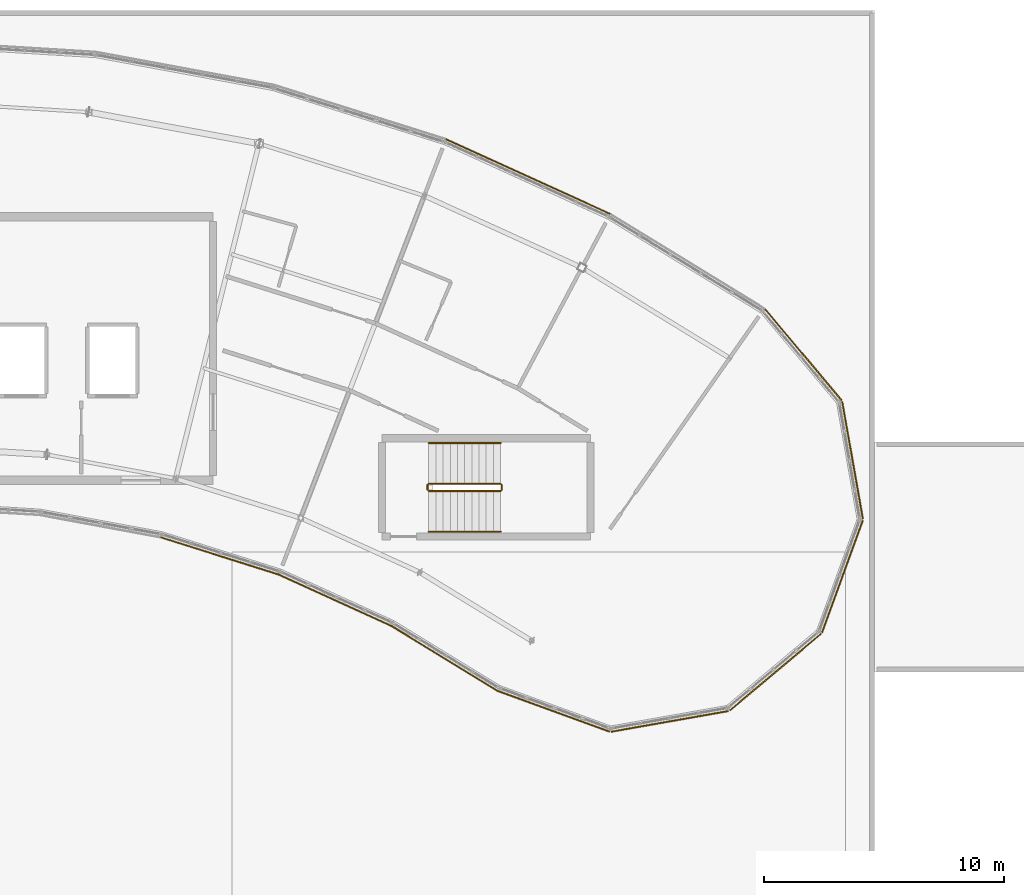
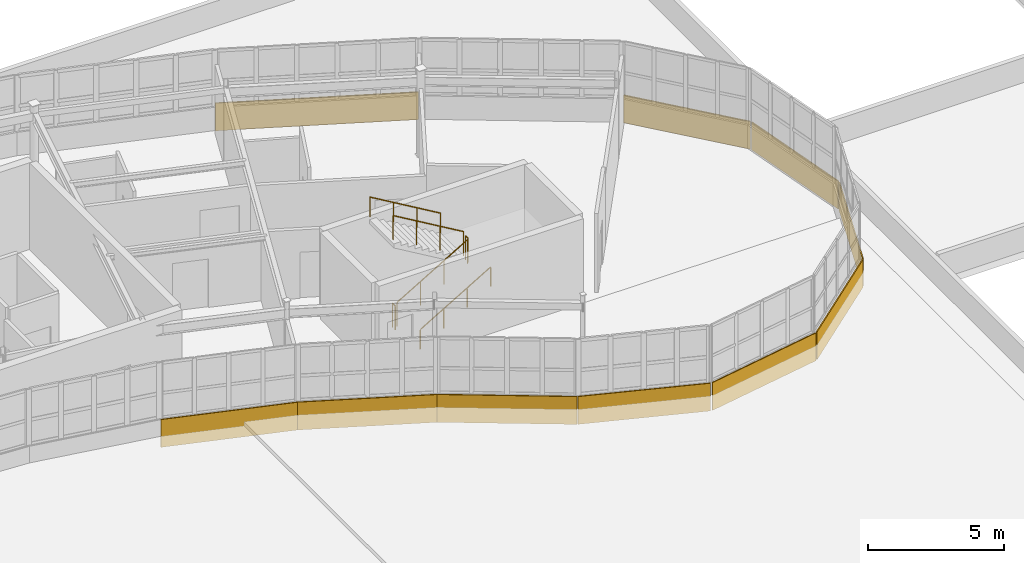
# One storey, part 122 of 128: 10 coverings, 6 railings.
"""IFC4 building model written with IfcOpenShell, lengths in metres."""

from ifc_helpers import new_model, si_unit, direction, frame, origin, origin_2d, place, context, subcontext, project, spatial, rectangle, circle, extrude, material, layer, layer_set, type_object, element, save


model = new_model("IFC4")

# Units and contexts
model_context = context("Model", 3, precision=1e-05, world=origin(), true_north=direction((0.0, 1.0)))
body_context = subcontext(model_context, "Body", "Model", "MODEL_VIEW")
ifc_project = project(units=[si_unit("LENGTHUNIT", "METRE"), si_unit("AREAUNIT", "SQUARE_METRE"), si_unit("VOLUMEUNIT", "CUBIC_METRE"), si_unit("PLANEANGLEUNIT", "RADIAN"), si_unit("MASSUNIT", "GRAM", prefix="KILO")], contexts=[model_context])

# Site, building, storey
site_placement = place(None, origin())
site = spatial("IfcSite", under=ifc_project, at=site_placement, CompositionType="ELEMENT")
building_placement = place(site_placement, origin())
building = spatial("IfcBuilding", under=site, at=building_placement, Name="Tarnwether General Hospital", CompositionType="ELEMENT")
storey_placement = place(building_placement, frame((0.0, 0.0, 14.39990234375)))
storey = spatial("IfcBuildingStorey", under=building, at=storey_placement, Name="L03", CompositionType="ELEMENT", Elevation=14.39990234375)

# Coverings
ifc_material_1 = material(Name="Streamlined white enamelled aluminium", Category="aluminium")
ifc_layer = layer(ifc_material_1, 0.044921875)
ifc_layer_set = layer_set([ifc_layer], Name="Streamlined white enamelled aluminium")
covering_type = type_object("IfcCoveringType", Name="CV-CLD-WHT", PredefinedType="CLADDING", material=ifc_layer_set)
covering_1_placement = place(storey_placement, frame((104.68603515625, 103.237060546875, -0.1748046875), z_axis=(0.0, 0.0, 1.0), x_axis=(-0.953711702297, 0.300722444959, 0.0)))
element("IfcCovering", 1, at=covering_1_placement, inside=storey, type_object=covering_type, Name="Streamlined White Horizontal Band NW L03 13", PredefinedType="CLADDING", context=body_context, shape_type="SweptSolid", body=[
    extrude(rectangle(XDim=5.177978515625, YDim=0.044921875, at=origin_2d()), origin(), (0.0, 0.0, 1.0), 1.25),
])
for number, where, z_axis, x_axis, name in (
    (2, (109.49609375, 101.389892578125, -0.1748046875), (0.0, 0.0, 1.0), (-0.909954032975, 0.414709124413, 0.0), "Streamlined White Horizontal Band NW L03 14"),
    (3, (114.0439453125, 98.971923828125, -0.1748046875), (0.0, 0.0, 1.0), (-0.852631044904, 0.522513446015, 0.0), "Streamlined White Horizontal Band NW L03 15"),
):
    element("IfcCovering", number, at=place(storey_placement, frame(where, z_axis=z_axis, x_axis=x_axis)), inside=storey, type_object=covering_type, Name=name, PredefinedType="CLADDING", context=body_context, shape_type="SweptSolid", body=[
        extrude(rectangle(XDim=5.177001953125, YDim=0.044921875, at=origin_2d()), origin(), (0.0, 0.0, 1.0), 1.25),
    ])
covering_2_placement = place(storey_placement, frame((118.60888671875, 96.758056640625, -0.1748046875), z_axis=(0.0, 0.0, 1.0), x_axis=(-0.93965082813, 0.342134945884, 0.0)))
element("IfcCovering", 4, at=covering_2_placement, inside=storey, type_object=covering_type, Name="Streamlined White Horizontal Band NW L03 16", PredefinedType="CLADDING", context=body_context, shape_type="SweptSolid", body=[
    extrude(rectangle(XDim=4.968994140625, YDim=0.044921875, at=origin_2d()), origin(), (0.0, 0.0, 1.0), 1.25),
])
for number, where, z_axis, x_axis, name in (
    (5, (123.458984375, 96.333984375, -0.1748046875), (0.0, 0.0, 1.0), (-0.98480472213, -0.173665365778, 0.0), "Streamlined White Horizontal Band NW L03 17"),
    (6, (127.87109375, 98.39111328125, -0.1748046875), (0.0, 0.0, 1.0), (-0.765988346401, -0.642854457228, 0.0), "Streamlined White Horizontal Band NW L03 18"),
):
    element("IfcCovering", number, at=place(storey_placement, frame(where, z_axis=z_axis, x_axis=x_axis)), inside=storey, type_object=covering_type, Name=name, PredefinedType="CLADDING", context=body_context, shape_type="SweptSolid", body=[
        extrude(rectangle(XDim=4.969970703125, YDim=0.044921875, at=origin_2d()), origin(), (0.0, 0.0, 1.0), 1.25),
    ])
covering_3_placement = place(storey_placement, frame((130.6640625, 102.37890625, -0.1748046875), z_axis=(0.0, 0.0, 1.0), x_axis=(-0.341954539571, -0.939716496006, 0.0)))
element("IfcCovering", 7, at=covering_3_placement, inside=storey, type_object=covering_type, Name="Streamlined White Horizontal Band NW L03 19", PredefinedType="CLADDING", context=body_context, shape_type="SweptSolid", body=[
    extrude(rectangle(XDim=4.968017578125, YDim=0.044921875, at=origin_2d()), origin(), (0.0, 0.0, 1.0), 1.25),
])
covering_4_placement = place(storey_placement, frame((131.087890625, 107.22900390625, -0.1748046875), z_axis=(0.0, 0.0, 1.0), x_axis=(0.173459104952, -0.984841072919, 0.0)))
element("IfcCovering", 8, at=covering_4_placement, inside=storey, type_object=covering_type, Name="Streamlined White Horizontal Band NW L03 20", PredefinedType="CLADDING", context=body_context, shape_type="SweptSolid", body=[
    extrude(rectangle(XDim=4.968994140625, YDim=0.044921875, at=origin_2d()), origin(), (0.0, 0.0, 1.0), 1.25),
])
covering_5_placement = place(storey_placement, frame((129.031005859375, 111.64111328125, -0.1748046875), z_axis=(0.0, 0.0, 1.0), x_axis=(0.642854457228, -0.765988346401, 0.0)))
element("IfcCovering", 9, at=covering_5_placement, inside=storey, type_object=covering_type, Name="Streamlined White Horizontal Band NW L03 21", PredefinedType="CLADDING", context=body_context, shape_type="SweptSolid", body=[
    extrude(rectangle(XDim=4.969970703125, YDim=0.044921875, at=origin_2d()), origin(), (0.0, 0.0, 1.0), 1.25),
])
covering_6_placement = place(storey_placement, frame((117.552001953125, 119.070068359375, -0.1748046875), z_axis=(0.0, 0.0, 1.0), x_axis=(0.909961270877, -0.414693242656, 0.0)))
element("IfcCovering", 10, at=covering_6_placement, inside=storey, type_object=covering_type, Name="Streamlined White Horizontal Band NW L03 23", PredefinedType="CLADDING", context=body_context, shape_type="SweptSolid", body=[
    extrude(rectangle(XDim=7.52099609375, YDim=0.044921875, at=origin_2d()), origin(), (0.0, 0.0, 1.0), 1.25),
])

# Railings
ifc_material_2 = material(Name="Anodised aluminium", Category="aluminium")
railing_type_1 = type_object("IfcRailingType", Name="RL-GRD-INT", PredefinedType="GUARDRAIL", material=ifc_material_2)
railing_1_placement = place(storey_placement, frame((113.39990234375, 105.949951171875, 0.177490234375)))
element("IfcRailing", 11, at=railing_1_placement, inside=storey, type_object=railing_type_1, Name="L03 ST-08 stair guard 1", PredefinedType="GUARDRAIL", context=body_context, shape_type="SweptSolid", body=[
    extrude(circle(Radius=0.02392578125, at=origin_2d()), frame((0.0, 0.0, 1.076171875), z_axis=(0.86092931783, 0.0, 0.508724591208), x_axis=(0.0, 1.0, 0.0)), (0.0, 0.0, 1.0), 3.484619140625),
    extrude(circle(Radius=0.02099609375, at=origin_2d()), origin(), (0.0, 0.0, 1.0), 1.052001953125),
    extrude(circle(Radius=0.02099609375, at=origin_2d()), frame((1.0, 0.0, 0.5908203125)), (0.0, 0.0, 1.0), 1.052001953125),
    extrude(circle(Radius=0.02099609375, at=origin_2d()), frame((2.0, 0.0, 1.181884765625)), (0.0, 0.0, 1.0), 1.052001953125),
    extrude(circle(Radius=0.02099609375, at=origin_2d()), frame((3.0, 0.0, 1.772705078125)), (0.0, 0.0, 1.0), 1.052001953125),
])
railing_2_placement = place(storey_placement, frame((116.449951171875, 106.0, 1.9501953125)))
element("IfcRailing", 12, at=railing_2_placement, inside=storey, type_object=railing_type_1, Name="L03 ST-08 stair guard 2", PredefinedType="GUARDRAIL", context=body_context, shape_type="SweptSolid", body=[
    extrude(circle(Radius=0.02392578125, at=origin_2d()), frame((0.0, 0.0, 1.076171875), z_axis=(0.0, 1.0, 0.0), x_axis=(-1.0, 0.0, 0.0)), (0.0, 0.0, 1.0), 0.199951171875),
    extrude(circle(Radius=0.02099609375, at=origin_2d()), origin(), (0.0, 0.0, 1.0), 1.052001953125),
    extrude(circle(Radius=0.02099609375, at=origin_2d()), frame((0.0, 0.199951171875, 0.0)), (0.0, 0.0, 1.0), 1.052001953125),
])
railing_3_placement = place(storey_placement, frame((116.39990234375, 106.25, 2.12744140625)))
element("IfcRailing", 13, at=railing_3_placement, inside=storey, type_object=railing_type_1, Name="L03 ST-08 stair guard 3", PredefinedType="GUARDRAIL", context=body_context, shape_type="SweptSolid", body=[
    extrude(circle(Radius=0.02392578125, at=origin_2d()), frame((0.0, 0.0, 1.076171875), z_axis=(-0.86092931783, 0.0, 0.508724591208), x_axis=(0.0, -1.0, 0.0)), (0.0, 0.0, 1.0), 3.484619140625),
    extrude(circle(Radius=0.02099609375, at=origin_2d()), origin(), (0.0, 0.0, 1.0), 1.052001953125),
    extrude(circle(Radius=0.02099609375, at=origin_2d()), frame((-1.0, 0.0, 0.5908203125)), (0.0, 0.0, 1.0), 1.052001953125),
    extrude(circle(Radius=0.02099609375, at=origin_2d()), frame((-2.0, 0.0, 1.181884765625)), (0.0, 0.0, 1.0), 1.052001953125),
    extrude(circle(Radius=0.02099609375, at=origin_2d()), frame((-3.0, 0.0, 1.772705078125)), (0.0, 0.0, 1.0), 1.052001953125),
])
railing_4_placement = place(storey_placement, frame((113.35009765625, 106.0, 0.0)))
element("IfcRailing", 14, at=railing_4_placement, inside=storey, type_object=railing_type_1, Name="L03 ST-08 stair guard 4", PredefinedType="GUARDRAIL", context=body_context, shape_type="SweptSolid", body=[
    extrude(circle(Radius=0.02392578125, at=origin_2d()), frame((0.0, 0.0, 1.076171875), z_axis=(0.0, 1.0, 0.0), x_axis=(-1.0, 0.0, 0.0)), (0.0, 0.0, 1.0), 0.199951171875),
    extrude(circle(Radius=0.02099609375, at=origin_2d()), origin(), (0.0, 0.0, 1.0), 1.052001953125),
    extrude(circle(Radius=0.02099609375, at=origin_2d()), frame((0.0, 0.199951171875, 0.0)), (0.0, 0.0, 1.0), 1.052001953125),
])
ifc_material_3 = material(Name="Anodised aluminium", Category="aluminium")
railing_type_2 = type_object("IfcRailingType", Name="RL-HND-INT", PredefinedType="HANDRAIL", material=ifc_material_3)
railing_5_placement = place(storey_placement, frame((113.39990234375, 104.25, 0.177490234375)))
element("IfcRailing", 15, at=railing_5_placement, inside=storey, type_object=railing_type_2, Name="L03 ST-08 stair handrail 1", PredefinedType="HANDRAIL", context=body_context, shape_type="SweptSolid", body=[
    extrude(circle(Radius=0.02392578125, at=origin_2d()), frame((0.0, 0.0, 0.8759765625), z_axis=(0.86092931783, 0.0, 0.508724591208), x_axis=(0.0, 1.0, 0.0)), (0.0, 0.0, 1.0), 3.484619140625),
    extrude(circle(Radius=0.02099609375, at=origin_2d()), origin(), (0.0, 0.0, 1.0), 0.851806640625),
    extrude(circle(Radius=0.02099609375, at=origin_2d()), frame((1.0, 0.0, 0.5908203125)), (0.0, 0.0, 1.0), 0.851806640625),
    extrude(circle(Radius=0.02099609375, at=origin_2d()), frame((2.0, 0.0, 1.181884765625)), (0.0, 0.0, 1.0), 0.851806640625),
    extrude(circle(Radius=0.02099609375, at=origin_2d()), frame((3.0, 0.0, 1.772705078125)), (0.0, 0.0, 1.0), 0.851806640625),
])
railing_6_placement = place(storey_placement, frame((116.39990234375, 107.949951171875, 2.12744140625)))
element("IfcRailing", 16, at=railing_6_placement, inside=storey, type_object=railing_type_2, Name="L03 ST-08 stair handrail 2", PredefinedType="HANDRAIL", context=body_context, shape_type="SweptSolid", body=[
    extrude(circle(Radius=0.02392578125, at=origin_2d()), frame((0.0, 0.0, 0.8759765625), z_axis=(-0.86092931783, 0.0, 0.508724591208), x_axis=(0.0, -1.0, 0.0)), (0.0, 0.0, 1.0), 3.484619140625),
    extrude(circle(Radius=0.02099609375, at=origin_2d()), origin(), (0.0, 0.0, 1.0), 0.851806640625),
    extrude(circle(Radius=0.02099609375, at=origin_2d()), frame((-1.0, 0.0, 0.5908203125)), (0.0, 0.0, 1.0), 0.851806640625),
    extrude(circle(Radius=0.02099609375, at=origin_2d()), frame((-2.0, 0.0, 1.181884765625)), (0.0, 0.0, 1.0), 0.851806640625),
    extrude(circle(Radius=0.02099609375, at=origin_2d()), frame((-3.0, 0.0, 1.772705078125)), (0.0, 0.0, 1.0), 0.851806640625),
])

save(model, "model.ifc")
